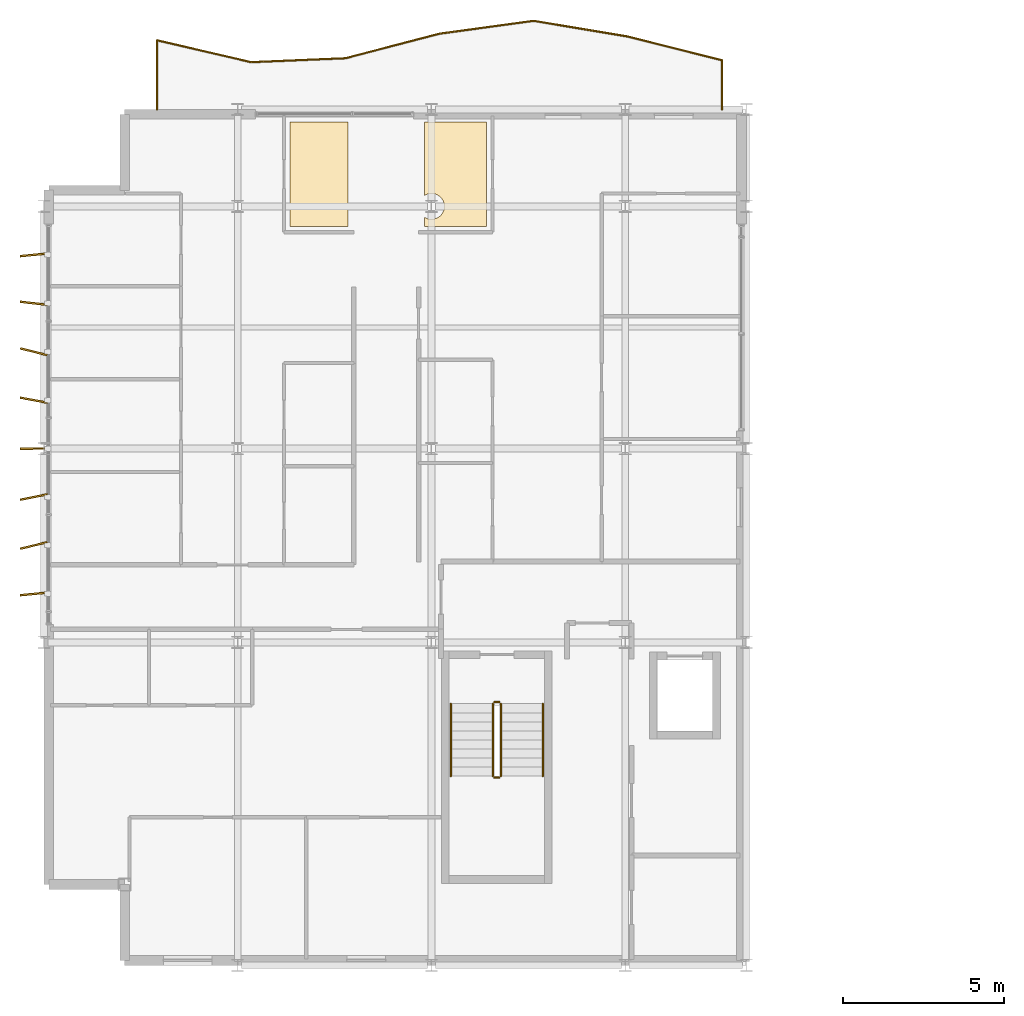
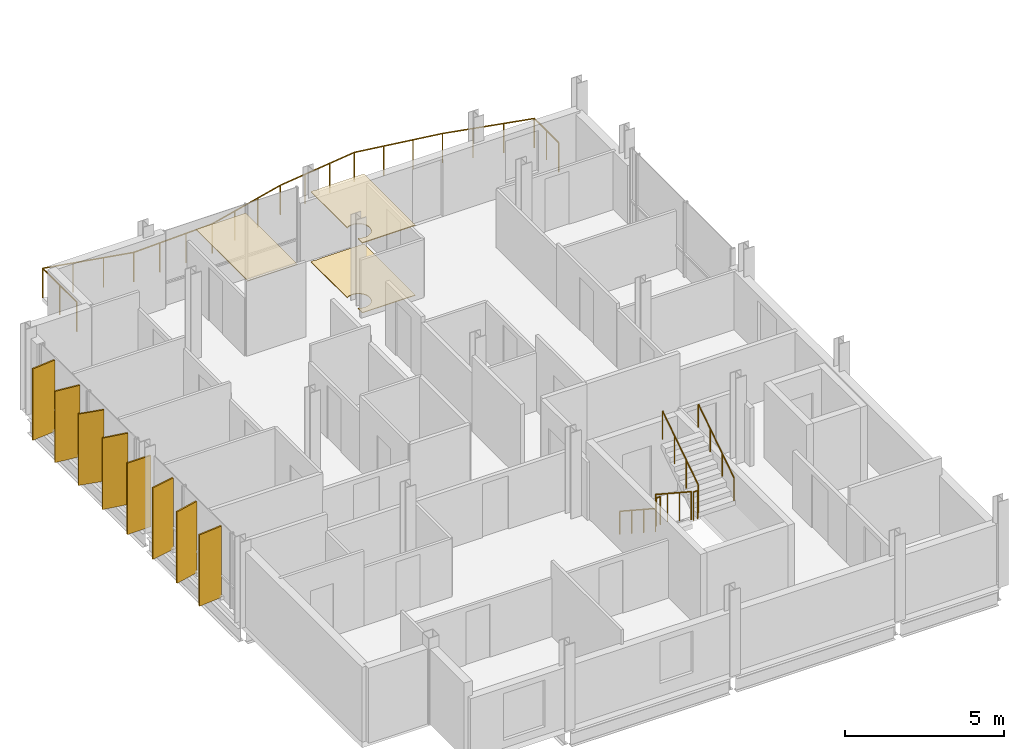
# One storey, part 29 of 30: 8 shading devices, 7 railings, 3 coverings.
"""IFC4 building model written with IfcOpenShell, lengths in metres."""

from ifc_helpers import new_model, si_unit, direction, frame, origin, origin_2d, place, context, subcontext, project, spatial, polyline, rectangle, circle, outline, extrude, material, layer, layer_set, type_object, element, save


model = new_model("IFC4")

# Units and contexts
model_context = context("Model", 3, precision=1e-05, world=origin(), true_north=direction((0.0, 1.0)))
body_context = subcontext(model_context, "Body", "Model", "MODEL_VIEW")
ifc_project = project(units=[si_unit("LENGTHUNIT", "METRE"), si_unit("AREAUNIT", "SQUARE_METRE"), si_unit("VOLUMEUNIT", "CUBIC_METRE"), si_unit("PLANEANGLEUNIT", "RADIAN"), si_unit("MASSUNIT", "GRAM", prefix="KILO")], contexts=[model_context])

# Site, building, storey
site_placement = place(None, origin())
site = spatial("IfcSite", under=ifc_project, at=site_placement, CompositionType="ELEMENT")
building_placement = place(site_placement, origin())
building = spatial("IfcBuilding", under=site, at=building_placement, Name="Brevholm Reach", CompositionType="ELEMENT")
storey_placement = place(building_placement, frame((0.0, 0.0, 211.10009765625)))
storey = spatial("IfcBuildingStorey", under=building, at=storey_placement, Name="L64", CompositionType="ELEMENT", Elevation=211.10009765625)

# Coverings
ifc_material_1 = material(Name="Moisture-Resistant Skimmed Gypsum Plasterboard Ceiling", Category="gypsum")
ifc_layer_1 = layer(ifc_material_1, 0.030029296875)
ifc_layer_set_1 = layer_set([ifc_layer_1], Name="Moisture-Resistant Skimmed Gypsum Plasterboard Ceiling")
covering_type_1 = type_object("IfcCoveringType", Name="COV-CLG-GYP", PredefinedType="CEILING", material=ifc_layer_set_1)
covering_1_placement = place(storey_placement, frame((0.0, 0.0, 2.679931640625)))
element("IfcCovering", 1, at=covering_1_placement, inside=storey, type_object=covering_type_1, Name="L64 Suspended Ceiling L64-30", PredefinedType="CEILING", context=body_context, shape_type="SweptSolid", body=[
    extrude(outline(polyline([(7.617919921875, 26.1201171875), (9.419921875, 26.1201171875), (9.419921875, 22.8798828125), (7.617919921875, 22.8798828125), (7.617919921875, 26.1201171875)])), origin(), (0.0, 0.0, 1.0), 0.030029296875),
])
covering_2_placement = place(storey_placement, frame((0.0, 0.0, 2.679931640625)))
element("IfcCovering", 2, at=covering_2_placement, inside=storey, type_object=covering_type_1, Name="L64 Suspended Ceiling L64-38", PredefinedType="CEILING", context=body_context, shape_type="SweptSolid", body=[
    extrude(outline(polyline([(11.780029296875, 23.166015625), (11.811279296875, 23.147216796875), (11.846923828125, 23.13037109375), (11.8837890625, 23.1171875), (11.922119140625, 23.107666015625), (11.960693359375, 23.101806640625), (12.0, 23.10009765625), (12.039306640625, 23.101806640625), (12.077880859375, 23.107666015625), (12.1162109375, 23.1171875), (12.153076171875, 23.13037109375), (12.188720703125, 23.147216796875), (12.22216796875, 23.16748046875), (12.25390625, 23.19091796875), (12.28271484375, 23.21728515625), (12.30908203125, 23.24609375), (12.33251953125, 23.27783203125), (12.352783203125, 23.311279296875), (12.36962890625, 23.346923828125), (12.3828125, 23.3837890625), (12.392333984375, 23.422119140625), (12.398193359375, 23.460693359375), (12.39990234375, 23.5), (12.398193359375, 23.539306640625), (12.392333984375, 23.577880859375), (12.3828125, 23.6162109375), (12.36962890625, 23.653076171875), (12.352783203125, 23.688720703125), (12.33251953125, 23.72216796875), (12.30908203125, 23.75390625), (12.28271484375, 23.78271484375), (12.25390625, 23.80908203125), (12.22216796875, 23.83251953125), (12.188720703125, 23.852783203125), (12.153076171875, 23.86962890625), (12.1162109375, 23.8828125), (12.077880859375, 23.892333984375), (12.039306640625, 23.898193359375), (12.0, 23.89990234375), (11.960693359375, 23.898193359375), (11.922119140625, 23.892333984375), (11.8837890625, 23.8828125), (11.846923828125, 23.86962890625), (11.811279296875, 23.852783203125), (11.780029296875, 23.833984375), (11.780029296875, 26.1201171875), (11.876220703125, 26.1201171875), (11.8837890625, 26.1171875), (11.922119140625, 26.107666015625), (11.960693359375, 26.101806640625), (12.0, 26.10009765625), (12.039306640625, 26.101806640625), (12.077880859375, 26.107666015625), (12.1162109375, 26.1171875), (12.123779296875, 26.1201171875), (13.708984375, 26.1201171875), (13.708984375, 22.8798828125), (11.780029296875, 22.8798828125), (11.780029296875, 23.166015625)])), origin(), (0.0, 0.0, 1.0), 0.030029296875),
])
ifc_material_2 = material(Name="Engineered European Oak Acoustic Plank Flooring", Category="timber")
ifc_layer_2 = layer(ifc_material_2, 0.02197265625)
ifc_layer_set_2 = layer_set([ifc_layer_2], Name="Engineered European Oak Acoustic Plank Flooring")
covering_type_2 = type_object("IfcCoveringType", Name="COV-FLR-OAK", PredefinedType="FLOORING", material=ifc_layer_set_2)
covering_3_placement = place(storey_placement, origin())
element("IfcCovering", 3, at=covering_3_placement, inside=storey, type_object=covering_type_2, Name="L64 Floor Finish L64-38", PredefinedType="FLOORING", context=body_context, shape_type="SweptSolid", body=[
    extrude(outline(polyline([(11.780029296875, 23.166015625), (11.811279296875, 23.147216796875), (11.846923828125, 23.13037109375), (11.8837890625, 23.1171875), (11.922119140625, 23.107666015625), (11.960693359375, 23.101806640625), (12.0, 23.10009765625), (12.039306640625, 23.101806640625), (12.077880859375, 23.107666015625), (12.1162109375, 23.1171875), (12.153076171875, 23.13037109375), (12.188720703125, 23.147216796875), (12.22216796875, 23.16748046875), (12.25390625, 23.19091796875), (12.28271484375, 23.21728515625), (12.30908203125, 23.24609375), (12.33251953125, 23.27783203125), (12.352783203125, 23.311279296875), (12.36962890625, 23.346923828125), (12.3828125, 23.3837890625), (12.392333984375, 23.422119140625), (12.398193359375, 23.460693359375), (12.39990234375, 23.5), (12.398193359375, 23.539306640625), (12.392333984375, 23.577880859375), (12.3828125, 23.6162109375), (12.36962890625, 23.653076171875), (12.352783203125, 23.688720703125), (12.33251953125, 23.72216796875), (12.30908203125, 23.75390625), (12.28271484375, 23.78271484375), (12.25390625, 23.80908203125), (12.22216796875, 23.83251953125), (12.188720703125, 23.852783203125), (12.153076171875, 23.86962890625), (12.1162109375, 23.8828125), (12.077880859375, 23.892333984375), (12.039306640625, 23.898193359375), (12.0, 23.89990234375), (11.960693359375, 23.898193359375), (11.922119140625, 23.892333984375), (11.8837890625, 23.8828125), (11.846923828125, 23.86962890625), (11.811279296875, 23.852783203125), (11.780029296875, 23.833984375), (11.780029296875, 26.1201171875), (11.876220703125, 26.1201171875), (11.8837890625, 26.1171875), (11.922119140625, 26.107666015625), (11.960693359375, 26.101806640625), (12.0, 26.10009765625), (12.039306640625, 26.101806640625), (12.077880859375, 26.107666015625), (12.1162109375, 26.1171875), (12.123779296875, 26.1201171875), (13.708984375, 26.1201171875), (13.708984375, 22.8798828125), (11.780029296875, 22.8798828125), (11.780029296875, 23.166015625)])), origin(), (0.0, 0.0, 1.0), 0.02197265625),
])

# Railings
ifc_material_3 = material(Name="Brushed Stainless Steel EN 1.4401 and Laminated Glass", Category="steel")
railing_type_1 = type_object("IfcRailingType", Name="RAL-BALC-1150", PredefinedType="BALUSTRADE", material=ifc_material_3)
railing_1_placement = place(storey_placement, frame((21.0, 26.5, 0.0)))
element("IfcRailing", 4, at=railing_1_placement, inside=storey, type_object=railing_type_1, Name="L64 Guard Balustrade RAL-L64-BAL-NW", PredefinedType="BALUSTRADE", context=body_context, shape_type="SweptSolid", body=[
    extrude(circle(Radius=0.02392578125, at=origin_2d()), frame((0.0, 0.0, 1.1259765625), z_axis=(0.0, 1.0, 0.0), x_axis=(-1.0, 0.0, 0.0)), (0.0, 0.0, 1.0), 1.52880859375),
    extrude(circle(Radius=0.02392578125, at=origin_2d()), frame((0.0, 1.52880859375, 1.1259765625), z_axis=(-0.969908046993, 0.243471518618, 0.0), x_axis=(-0.243471518618, -0.969908046993, 0.0)), (0.0, 0.0, 1.0), 3.00732421875),
    extrude(circle(Radius=0.02392578125, at=origin_2d()), frame((-2.916748046875, 2.260986328125, 1.1259765625), z_axis=(-0.986326897089, 0.164800643445, 0.0), x_axis=(-0.164800643445, -0.986326897089, 0.0)), (0.0, 0.0, 1.0), 2.95703125),
    extrude(circle(Radius=0.02392578125, at=origin_2d()), frame((-5.833251953125, 2.748291015625, 1.1259765625), z_axis=(-0.990787222307, -0.135427767141, 0.0), x_axis=(0.135427767141, -0.990787222307, 0.0)), (0.0, 0.0, 1.0), 2.94384765625),
    extrude(circle(Radius=0.02392578125, at=origin_2d()), frame((-8.75, 2.349609375, 1.1259765625), z_axis=(-0.967668860758, -0.252224058961, 0.0), x_axis=(0.252224058961, -0.967668860758, 0.0)), (0.0, 0.0, 1.0), 3.01416015625),
    extrude(circle(Radius=0.02392578125, at=origin_2d()), frame((-11.666748046875, 1.58935546875, 1.1259765625), z_axis=(-0.999139150441, -0.041484431493, 0.0), x_axis=(0.041484431493, -0.999139150441, 0.0)), (0.0, 0.0, 1.0), 2.9189453125),
    extrude(circle(Radius=0.02392578125, at=origin_2d()), frame((-14.583251953125, 1.46826171875, 1.1259765625), z_axis=(-0.974086615793, 0.226175296912, 0.0), x_axis=(-0.226175296912, -0.974086615793, 0.0)), (0.0, 0.0, 1.0), 2.994384765625),
    extrude(circle(Radius=0.02392578125, at=origin_2d()), frame((-17.5, 2.1455078125, 1.1259765625), z_axis=(0.0, -1.0, 0.0), x_axis=(1.0, 0.0, 0.0)), (0.0, 0.0, 1.0), 2.1455078125),
    extrude(circle(Radius=0.02099609375, at=origin_2d()), origin(), (0.0, 0.0, 1.0), 1.101806640625),
    extrude(circle(Radius=0.02099609375, at=origin_2d()), frame((0.0, 0.764404296875, 0.0)), (0.0, 0.0, 1.0), 1.101806640625),
    extrude(circle(Radius=0.02099609375, at=origin_2d()), frame((0.0, 1.52880859375, 0.0)), (0.0, 0.0, 1.0), 1.101806640625),
    extrude(circle(Radius=0.02099609375, at=origin_2d()), frame((-0.97216796875, 1.77294921875, 0.0)), (0.0, 0.0, 1.0), 1.101806640625),
    extrude(circle(Radius=0.02099609375, at=origin_2d()), frame((-1.944580078125, 2.016845703125, 0.0)), (0.0, 0.0, 1.0), 1.101806640625),
    extrude(circle(Radius=0.02099609375, at=origin_2d()), frame((-2.916748046875, 2.260986328125, 0.0)), (0.0, 0.0, 1.0), 1.101806640625),
    extrude(circle(Radius=0.02099609375, at=origin_2d()), frame((-3.888916015625, 2.42333984375, 0.0)), (0.0, 0.0, 1.0), 1.101806640625),
    extrude(circle(Radius=0.02099609375, at=origin_2d()), frame((-4.861083984375, 2.5859375, 0.0)), (0.0, 0.0, 1.0), 1.101806640625),
    extrude(circle(Radius=0.02099609375, at=origin_2d()), frame((-5.833251953125, 2.748291015625, 0.0)), (0.0, 0.0, 1.0), 1.101806640625),
    extrude(circle(Radius=0.02099609375, at=origin_2d()), frame((-6.805419921875, 2.615478515625, 0.0)), (0.0, 0.0, 1.0), 1.101806640625),
    extrude(circle(Radius=0.02099609375, at=origin_2d()), frame((-7.77783203125, 2.482421875, 0.0)), (0.0, 0.0, 1.0), 1.101806640625),
    extrude(circle(Radius=0.02099609375, at=origin_2d()), frame((-8.75, 2.349609375, 0.0)), (0.0, 0.0, 1.0), 1.101806640625),
    extrude(circle(Radius=0.02099609375, at=origin_2d()), frame((-9.72216796875, 2.09619140625, 0.0)), (0.0, 0.0, 1.0), 1.101806640625),
    extrude(circle(Radius=0.02099609375, at=origin_2d()), frame((-10.694580078125, 1.8427734375, 0.0)), (0.0, 0.0, 1.0), 1.101806640625),
    extrude(circle(Radius=0.02099609375, at=origin_2d()), frame((-11.666748046875, 1.58935546875, 0.0)), (0.0, 0.0, 1.0), 1.101806640625),
    extrude(circle(Radius=0.02099609375, at=origin_2d()), frame((-12.638916015625, 1.549072265625, 0.0)), (0.0, 0.0, 1.0), 1.101806640625),
    extrude(circle(Radius=0.02099609375, at=origin_2d()), frame((-13.611083984375, 1.508544921875, 0.0)), (0.0, 0.0, 1.0), 1.101806640625),
    extrude(circle(Radius=0.02099609375, at=origin_2d()), frame((-14.583251953125, 1.46826171875, 0.0)), (0.0, 0.0, 1.0), 1.101806640625),
    extrude(circle(Radius=0.02099609375, at=origin_2d()), frame((-15.555419921875, 1.694091796875, 0.0)), (0.0, 0.0, 1.0), 1.101806640625),
    extrude(circle(Radius=0.02099609375, at=origin_2d()), frame((-16.52783203125, 1.919677734375, 0.0)), (0.0, 0.0, 1.0), 1.101806640625),
    extrude(circle(Radius=0.02099609375, at=origin_2d()), frame((-17.5, 2.1455078125, 0.0)), (0.0, 0.0, 1.0), 1.101806640625),
    extrude(circle(Radius=0.02099609375, at=origin_2d()), frame((-17.5, 1.07275390625, 0.0)), (0.0, 0.0, 1.0), 1.101806640625),
    extrude(circle(Radius=0.02099609375, at=origin_2d()), frame((-17.5, 0.0, 0.0)), (0.0, 0.0, 1.0), 1.101806640625),
])
ifc_material_4 = material(Name="Brushed Stainless Steel EN 1.4401 Continuous Handrail", Category="steel")
railing_type_2 = type_object("IfcRailingType", Name="RAL-HND-950", PredefinedType="HANDRAIL", material=ifc_material_4)
railing_2_placement = place(storey_placement, frame((12.60009765625, 8.10009765625, 0.183349609375)))
element("IfcRailing", 5, at=railing_2_placement, inside=storey, type_object=railing_type_2, Name="L64 ST-1 stair handrail 1", PredefinedType="HANDRAIL", context=body_context, shape_type="SweptSolid", body=[
    extrude(circle(Radius=0.02392578125, at=origin_2d()), frame((0.0, 0.0, 0.8857421875), z_axis=(0.0, -0.836636935527, 0.547757827979), x_axis=(1.0, 0.0, 0.0)), (0.0, 0.0, 1.0), 2.677490234375),
    extrude(circle(Radius=0.02099609375, at=origin_2d()), origin(), (0.0, 0.0, 1.0), 0.86181640625),
    extrude(circle(Radius=0.02099609375, at=origin_2d()), frame((0.0, -0.74658203125, 0.48876953125)), (0.0, 0.0, 1.0), 0.86181640625),
    extrude(circle(Radius=0.02099609375, at=origin_2d()), frame((0.0, -1.493408203125, 0.977783203125)), (0.0, 0.0, 1.0), 0.86181640625),
    extrude(circle(Radius=0.02099609375, at=origin_2d()), frame((0.0, -2.239990234375, 1.466552734375)), (0.0, 0.0, 1.0), 0.86181640625),
])
railing_3_placement = place(storey_placement, frame((15.449951171875, 5.860107421875, 1.833251953125)))
element("IfcRailing", 6, at=railing_3_placement, inside=storey, type_object=railing_type_2, Name="L64 ST-1 stair handrail 2", PredefinedType="HANDRAIL", context=body_context, shape_type="SweptSolid", body=[
    extrude(circle(Radius=0.02392578125, at=origin_2d()), frame((0.0, 0.0, 0.8857421875), z_axis=(0.0, 0.836636935527, 0.547757827979), x_axis=(-1.0, 0.0, 0.0)), (0.0, 0.0, 1.0), 2.677490234375),
    extrude(circle(Radius=0.02099609375, at=origin_2d()), origin(), (0.0, 0.0, 1.0), 0.86181640625),
    extrude(circle(Radius=0.02099609375, at=origin_2d()), frame((0.0, 0.74658203125, 0.48876953125)), (0.0, 0.0, 1.0), 0.86181640625),
    extrude(circle(Radius=0.02099609375, at=origin_2d()), frame((0.0, 1.493408203125, 0.977783203125)), (0.0, 0.0, 1.0), 0.86181640625),
    extrude(circle(Radius=0.02099609375, at=origin_2d()), frame((0.0, 2.239990234375, 1.466552734375)), (0.0, 0.0, 1.0), 0.86181640625),
])
ifc_material_5 = material(Name="Painted Tubular Galvanised Steel S275JR Stair Guard", Category="steel")
railing_type_3 = type_object("IfcRailingType", Name="RAL-STG-1120", PredefinedType="BALUSTRADE", material=ifc_material_5)
railing_4_placement = place(storey_placement, frame((13.89990234375, 8.10009765625, 0.183349609375)))
element("IfcRailing", 7, at=railing_4_placement, inside=storey, type_object=railing_type_3, Name="L64 ST-1 stair guard 1", PredefinedType="BALUSTRADE", context=body_context, shape_type="SweptSolid", body=[
    extrude(circle(Radius=0.02392578125, at=origin_2d()), frame((0.0, 0.0, 1.076171875), z_axis=(0.0, -0.836636935527, 0.547757827979), x_axis=(1.0, 0.0, 0.0)), (0.0, 0.0, 1.0), 2.677490234375),
    extrude(circle(Radius=0.02099609375, at=origin_2d()), origin(), (0.0, 0.0, 1.0), 1.052001953125),
    extrude(circle(Radius=0.02099609375, at=origin_2d()), frame((0.0, -0.74658203125, 0.48876953125)), (0.0, 0.0, 1.0), 1.052001953125),
    extrude(circle(Radius=0.02099609375, at=origin_2d()), frame((0.0, -1.493408203125, 0.977783203125)), (0.0, 0.0, 1.0), 1.052001953125),
    extrude(circle(Radius=0.02099609375, at=origin_2d()), frame((0.0, -2.239990234375, 1.466552734375)), (0.0, 0.0, 1.0), 1.052001953125),
])
railing_5_placement = place(storey_placement, frame((13.949951171875, 5.81005859375, 1.64990234375)))
element("IfcRailing", 8, at=railing_5_placement, inside=storey, type_object=railing_type_3, Name="L64 ST-1 stair guard 2", PredefinedType="BALUSTRADE", context=body_context, shape_type="SweptSolid", body=[
    extrude(circle(Radius=0.02392578125, at=origin_2d()), frame((0.0, 0.0, 1.076171875), z_axis=(1.0, 0.0, 0.0), x_axis=(0.0, 1.0, 0.0)), (0.0, 0.0, 1.0), 0.150146484375),
    extrude(circle(Radius=0.02099609375, at=origin_2d()), origin(), (0.0, 0.0, 1.0), 1.052001953125),
    extrude(circle(Radius=0.02099609375, at=origin_2d()), frame((0.150146484375, 0.0, 0.0)), (0.0, 0.0, 1.0), 1.052001953125),
])
railing_6_placement = place(storey_placement, frame((14.14990234375, 5.860107421875, 1.833251953125)))
element("IfcRailing", 9, at=railing_6_placement, inside=storey, type_object=railing_type_3, Name="L64 ST-1 stair guard 3", PredefinedType="BALUSTRADE", context=body_context, shape_type="SweptSolid", body=[
    extrude(circle(Radius=0.02392578125, at=origin_2d()), frame((0.0, 0.0, 1.076171875), z_axis=(0.0, 0.836636935527, 0.547757827979), x_axis=(-1.0, 0.0, 0.0)), (0.0, 0.0, 1.0), 2.677490234375),
    extrude(circle(Radius=0.02099609375, at=origin_2d()), origin(), (0.0, 0.0, 1.0), 1.052001953125),
    extrude(circle(Radius=0.02099609375, at=origin_2d()), frame((0.0, 0.74658203125, 0.48876953125)), (0.0, 0.0, 1.0), 1.052001953125),
    extrude(circle(Radius=0.02099609375, at=origin_2d()), frame((0.0, 1.493408203125, 0.977783203125)), (0.0, 0.0, 1.0), 1.052001953125),
    extrude(circle(Radius=0.02099609375, at=origin_2d()), frame((0.0, 2.239990234375, 1.466552734375)), (0.0, 0.0, 1.0), 1.052001953125),
])
railing_7_placement = place(storey_placement, frame((13.949951171875, 8.14990234375, 0.0)))
element("IfcRailing", 10, at=railing_7_placement, inside=storey, type_object=railing_type_3, Name="L64 ST-1 stair guard 4", PredefinedType="BALUSTRADE", context=body_context, shape_type="SweptSolid", body=[
    extrude(circle(Radius=0.02392578125, at=origin_2d()), frame((0.0, 0.0, 1.076171875), z_axis=(1.0, 0.0, 0.0), x_axis=(0.0, 1.0, 0.0)), (0.0, 0.0, 1.0), 0.150146484375),
    extrude(circle(Radius=0.02099609375, at=origin_2d()), origin(), (0.0, 0.0, 1.0), 1.052001953125),
    extrude(circle(Radius=0.02099609375, at=origin_2d()), frame((0.150146484375, 0.0, 0.0)), (0.0, 0.0, 1.0), 1.052001953125),
])

# Shading devices
ifc_material_6 = material(Name="Perforated Champagne-Bronze Anodised Aluminium", Category="aluminium")
ifc_layer_3 = layer(ifc_material_6, 0.054931640625)
ifc_layer_set_3 = layer_set([ifc_layer_3], Name="Perforated Champagne-Bronze Anodised Aluminium")
shading_device_type = type_object("IfcShadingDeviceType", Name="SHD-FIN-850", PredefinedType="USERDEFINED", material=ifc_layer_set_3)
for number, where, z_axis, x_axis, name in (
    (11, (-0.31494140625, 11.5, 0.06982421875), (0.0, 0.0, 1.0), (-0.995285131608, -0.096992302785, 0.0), "L64 Perforated Solar Screen Fin 1"),
    (12, (-0.31494140625, 13.0, 0.06982421875), (0.0, 0.0, 1.0), (-0.972312849907, -0.233682951678, 0.0), "L64 Perforated Solar Screen Fin 2"),
    (13, (-0.31494140625, 14.5, 0.06982421875), (0.0, 0.0, 1.0), (-0.980662507948, -0.195706529033, 0.0), "L64 Perforated Solar Screen Fin 3"),
    (14, (-0.31494140625, 16.0, 0.06982421875), (0.0, 0.0, 1.0), (-0.9999524068, -0.009756235739, 0.0), "L64 Perforated Solar Screen Fin 4"),
    (15, (-0.31494140625, 17.5, 0.06982421875), (0.0, 0.0, 1.0), (-0.982973854272, 0.183745481082, 0.0), "L64 Perforated Solar Screen Fin 5"),
    (16, (-0.31494140625, 19.0, 0.06982421875), (0.0, 0.0, 1.0), (-0.971288115593, 0.237906276731, 0.0), "L64 Perforated Solar Screen Fin 6"),
    (17, (-0.31494140625, 20.5, 0.06982421875), (0.0, 0.0, 1.0), (-0.993426818157, 0.114469021861, 0.0), "L64 Perforated Solar Screen Fin 7"),
    (18, (-0.31494140625, 22.0, 0.06982421875), (0.0, 0.0, 1.0), (-0.995285131608, -0.096992302785, 0.0), "L64 Perforated Solar Screen Fin 8"),
):
    element("IfcShadingDevice", number, at=place(storey_placement, frame(where, z_axis=z_axis, x_axis=x_axis)), inside=storey, type_object=shading_device_type, Name=name, ObjectType="SCREEN", PredefinedType="USERDEFINED", context=body_context, shape_type="SweptSolid", body=[
        extrude(rectangle(XDim=0.85009765625, YDim=0.054931640625, at=origin_2d()), origin(), (0.0, 0.0, 1.0), 2.739990234375),
    ])

save(model, "model.ifc")
